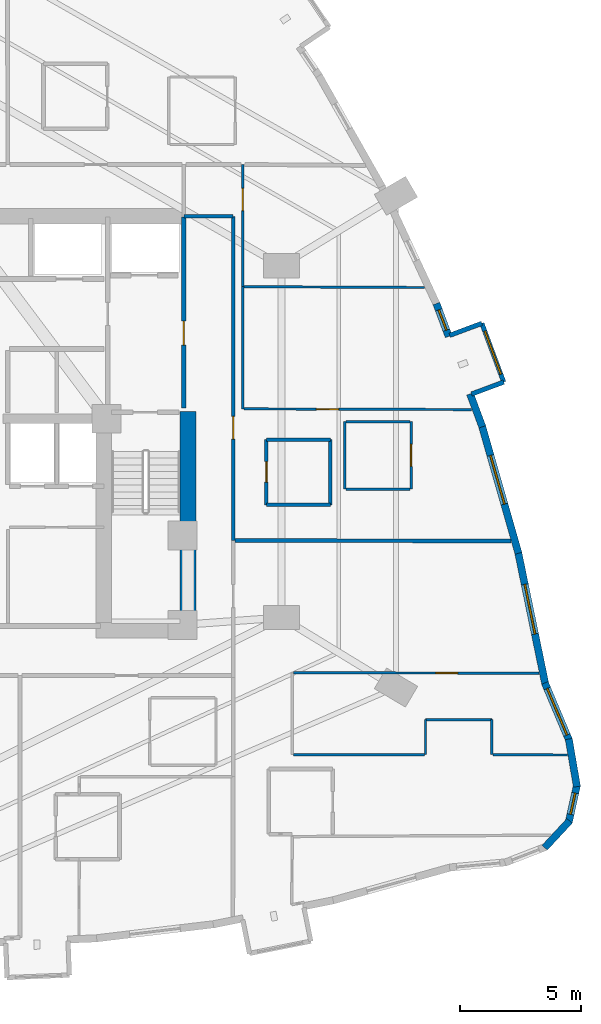
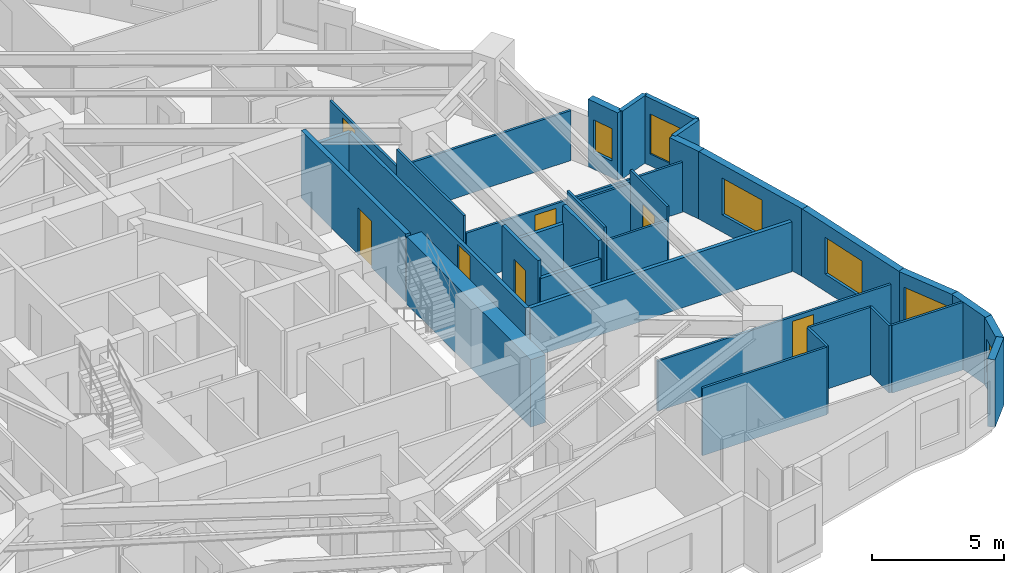
# One storey, part 11 of 15: 34 walls, 7 doors, 6 windows, 13 openings.
"""IFC4 building model written with IfcOpenShell, lengths in metres."""

import ifcopenshell
import ifcopenshell.guid

model = None  # the IFC model being written
_history = None  # IfcOwnerHistory: only IFC2X3 demands one
_inside = {}  # id of a spatial element -> (the spatial element, [elements in it])
_under = {}  # id of a project, library or spatial element -> (it, [spatial elements below it])
_declared = {}  # id of a project -> (the project, [libraries it declares])
_typed = {}  # id of a type object -> (the type object, [elements of that type])
_made_of = {}  # id of a material, layer set ... -> (it, [elements and type objects made of it])


def new_model(schema):
    """Start an empty IFC model of exactly this schema.

    Asked for "IFC4X3", IfcOpenShell would pick the latest addendum, in which some entities
    have other attributes; the version numbers below select the first issue.
    IFC2X3 requires an IfcOwnerHistory on every rooted entity: one is made here for all.
    """
    global model, _history
    if schema == "IFC4X3":
        model = ifcopenshell.file(schema_version=(4, 3, 0, 0))
    else:
        model = ifcopenshell.file(schema=schema)
    _inside.clear()
    _under.clear()
    _declared.clear()
    _typed.clear()
    _made_of.clear()
    _history = None
    if model.schema == "IFC2X3":
        org = make("IfcOrganization", Name="unknown")
        user = make(
            "IfcPersonAndOrganization",
            ThePerson=make("IfcPerson", FamilyName="unknown"),
            TheOrganization=org,
        )
        app = make(
            "IfcApplication",
            ApplicationDeveloper=org,
            Version="unknown",
            ApplicationFullName="unknown",
            ApplicationIdentifier="unknown",
        )
        _history = make(
            "IfcOwnerHistory",
            OwningUser=user,
            OwningApplication=app,
            ChangeAction="ADDED",
            CreationDate=0,
        )
    return model


def make(cls, **values):
    """One entity of the class cls with the attributes given. An attribute that is None is left unset."""
    return model.create_entity(
        cls, **{name: value for name, value in values.items() if value is not None}
    )


def rooted(cls, **values):
    """An entity with a GlobalId (a new one), such as an element, a storey or a relation."""
    return make(cls, GlobalId=ifcopenshell.guid.new(), OwnerHistory=_history, **values)


def si_unit(unit_type, name, prefix=None):
    """IfcSIUnit, for example si_unit("LENGTHUNIT", "METRE", prefix="MILLI")."""
    return make("IfcSIUnit", UnitType=unit_type, Prefix=prefix, Name=name)


def assignment(units):
    """IfcUnitAssignment: the units of a project."""
    return None if units is None else make("IfcUnitAssignment", Units=units)


def point(xyz):
    """IfcCartesianPoint."""
    return None if xyz is None else make("IfcCartesianPoint", Coordinates=xyz)


def direction(xyz):
    """IfcDirection."""
    return None if xyz is None else make("IfcDirection", DirectionRatios=xyz)


def frame(location, z_axis=None, x_axis=None):
    """IfcAxis2Placement3D, a coordinate frame: its origin and axes. An axis left out is left unset."""
    return make(
        "IfcAxis2Placement3D",
        Location=point(location),
        Axis=direction(z_axis),
        RefDirection=direction(x_axis),
    )


def frame_2d(location, x_axis=None):
    """IfcAxis2Placement2D, a coordinate frame in the plane: its origin and x axis."""
    return make(
        "IfcAxis2Placement2D", Location=point(location), RefDirection=direction(x_axis)
    )


def origin():
    """The frame at (0, 0, 0) with its axes left unset."""
    return frame((0.0, 0.0, 0.0))


def place(relative_to, where):
    """IfcLocalPlacement: puts the frame where relative to a parent placement (None: the world)."""
    return make(
        "IfcLocalPlacement", PlacementRelTo=relative_to, RelativePlacement=where
    )


def context(
    kind, dimensions, precision=None, world=None, true_north=None, identifier=None
):
    """IfcGeometricRepresentationContext, for example the 3D "Model" context."""
    return make(
        "IfcGeometricRepresentationContext",
        ContextIdentifier=identifier,
        ContextType=kind,
        CoordinateSpaceDimension=dimensions,
        Precision=precision,
        WorldCoordinateSystem=world,
        TrueNorth=true_north,
    )


def subcontext(parent, identifier, kind, view, scale=None):
    """IfcGeometricRepresentationSubContext, for example "Body" below "Model"."""
    return make(
        "IfcGeometricRepresentationSubContext",
        ContextIdentifier=identifier,
        ContextType=kind,
        ParentContext=parent,
        TargetScale=scale,
        TargetView=view,
    )


def project(units=None, contexts=None):
    """IfcProject with its units and contexts."""
    return rooted(
        "IfcProject",
        Name="project",
        RepresentationContexts=contexts,
        UnitsInContext=assignment(units),
    )


def spatial(cls, under=None, at=None, **own):
    """A site, building, storey or space (cls), placed at a placement, below another one or the project."""
    s = rooted(cls, ObjectPlacement=at, **own)
    if under is not None:
        _under.setdefault(under.id(), (under, []))[1].append(s)
    return s


def profile(cls, at=None, kind="AREA", **sizes):
    """A parametric profile (cls). Its sizes go by their IFC names, for example OverallWidth=200.0."""
    return make(cls, ProfileType=kind, Position=at, **sizes)


def rectangle(**sizes):
    """IfcRectangleProfileDef."""
    return profile("IfcRectangleProfileDef", **sizes)


def extrude(swept, where, along, depth):
    """IfcExtrudedAreaSolid: the profile swept, set in the frame where, extruded along a direction by depth."""
    return make(
        "IfcExtrudedAreaSolid",
        SweptArea=swept,
        Position=where,
        ExtrudedDirection=direction(along),
        Depth=depth,
    )


def shape(context_of_items, identifier, shape_type, items):
    """IfcShapeRepresentation: the items that make up one representation, for example the "Body"."""
    return make(
        "IfcShapeRepresentation",
        ContextOfItems=context_of_items,
        RepresentationIdentifier=identifier,
        RepresentationType=shape_type,
        Items=items,
    )


def material(Name=None, Category=None):
    """IfcMaterial."""
    return make("IfcMaterial", Name=Name, Category=Category)


def layer(
    of_material, thickness, ventilated=None, Name=None, Category=None, Priority=None
):
    """IfcMaterialLayer: one layer of a wall or slab, of a material (None: an air gap)."""
    return make(
        "IfcMaterialLayer",
        Material=of_material,
        LayerThickness=thickness,
        IsVentilated=ventilated,
        Name=Name,
        Category=Category,
        Priority=Priority,
    )


def layer_set(layers, Name=None):
    """IfcMaterialLayerSet."""
    return make("IfcMaterialLayerSet", MaterialLayers=layers, LayerSetName=Name)


def made_of(thing, what):
    """Note that an element or type object is made of a material, layer set ...; save() writes the relation."""
    if what is not None:
        _made_of.setdefault(what.id(), (what, []))[1].append(thing)
    return thing


def type_object(cls, material=None, **own):
    """A type object (cls), such as IfcWallType, which elements share."""
    return made_of(rooted(cls, **own), material)


def element(
    cls,
    number,
    at=None,
    inside=None,
    cuts=None,
    type_object=None,
    material=None,
    context=None,
    identifier="Body",
    shape_type=None,
    held_by="IfcProductDefinitionShape",
    body=None,
    shapes=None,
    **own,
):
    """One element of the class cls, such as IfcWall. Its Tag is "e" and its number.

    at: its placement. inside: the storey or other place that contains it. cuts: it is an
    opening in that element (IfcRelVoidsElement). A single representation is given by context,
    identifier, shape_type and body (its items); several are given by shapes. held_by: the class
    of the entity that holds the representations. save() writes the other relations.
    """
    e = rooted(cls, Tag="e%d" % number, ObjectPlacement=at, **own)
    if body is not None:
        shapes = [shape(context, identifier, shape_type, body)]
    if shapes is not None:
        e.Representation = make(held_by, Representations=shapes)
    if inside is not None:
        _inside.setdefault(inside.id(), (inside, []))[1].append(e)
    if cuts is not None:
        rooted(
            "IfcRelVoidsElement", RelatingBuildingElement=cuts, RelatedOpeningElement=e
        )
    if type_object is not None:
        _typed.setdefault(type_object.id(), (type_object, []))[1].append(e)
    return made_of(e, material)


def fill(opening, filler):
    """IfcRelFillsElement: the door or window that sits in an opening."""
    return rooted(
        "IfcRelFillsElement",
        RelatingOpeningElement=opening,
        RelatedBuildingElement=filler,
    )


def aggregate(whole, parts):
    """IfcRelAggregates: a whole, such as a stair, and the parts it consists of."""
    return rooted("IfcRelAggregates", RelatingObject=whole, RelatedObjects=parts)


def save(model, path):
    """Write the relations noted so far, then the file.

    IfcRelAggregates (storeys below a building ...), IfcRelContainedInSpatialStructure (elements
    in a storey), IfcRelDefinesByType, IfcRelAssociatesMaterial and IfcRelDeclares: one each for
    every whole, place, type object, material and project.
    """
    for whole, parts in _under.values():
        aggregate(whole, parts)
    for where, things in _inside.values():
        rooted(
            "IfcRelContainedInSpatialStructure",
            RelatedElements=things,
            RelatingStructure=where,
        )
    for kind, things in _typed.values():
        rooted("IfcRelDefinesByType", RelatedObjects=things, RelatingType=kind)
    for what, things in _made_of.values():
        rooted("IfcRelAssociatesMaterial", RelatedObjects=things, RelatingMaterial=what)
    for by, libraries in _declared.values():
        rooted("IfcRelDeclares", RelatingContext=by, RelatedDefinitions=libraries)
    model.write(path)


model = new_model("IFC4")

# Units and contexts
model_context = context("Model", 3, precision=1e-05, world=origin(), true_north=direction((0.0, 1.0)))
body_context = subcontext(model_context, "Body", "Model", "MODEL_VIEW")
ifc_project = project(units=[si_unit("LENGTHUNIT", "METRE"), si_unit("AREAUNIT", "SQUARE_METRE"), si_unit("VOLUMEUNIT", "CUBIC_METRE"), si_unit("PLANEANGLEUNIT", "RADIAN"), si_unit("MASSUNIT", "GRAM", prefix="KILO")], contexts=[model_context])

# Site, building, storey
site_placement = place(None, origin())
site = spatial("IfcSite", under=ifc_project, at=site_placement, CompositionType="ELEMENT")
building_placement = place(site_placement, origin())
building = spatial("IfcBuilding", under=site, at=building_placement, Name="Miruveldt Soraemaru", CompositionType="ELEMENT")
storey_placement = place(building_placement, frame((0.0, 0.0, 39.39990234375)))
storey = spatial("IfcBuildingStorey", under=building, at=storey_placement, Name="L10", CompositionType="ELEMENT", Elevation=39.39990234375)

# Walls
ifc_material_1 = material(Name="White powder-coated aluminium EN AW-6060 T6", Category="aluminium")
ifc_layer_1 = layer(ifc_material_1, 0.18994140625, Name="White powder-coated aluminium EN AW-6060 T6", Category="aluminium")
ifc_layer_set_1 = layer_set([ifc_layer_1], Name="White powder-coated aluminium EN AW-6060 T6")
wall_type_1 = type_object("IfcWallType", Name="WALL-BAY-ALU190", PredefinedType="SOLIDWALL", material=ifc_layer_set_1)
wall_1_placement = place(storey_placement, frame((64.49072265625, 45.074951171875, 0.0), z_axis=(0.0, 0.0, 1.0), x_axis=(0.937129361406, 0.348982177182, 0.0)))
element("IfcWall", 1, at=wall_1_placement, inside=storey, type_object=wall_type_1, Name="L10 Bay Window Side Cheek 4L", PredefinedType="SOLIDWALL", context=body_context, shape_type="SweptSolid", body=[
    extrude(rectangle(XDim=1.425048828125, YDim=0.18994140625, at=frame_2d((0.71240234375, 0.0))), origin(), (0.0, 0.0, 1.0), 3.125),
])
wall_2_placement = place(storey_placement, frame((64.918701171875, 48.0087890625, 0.0), z_axis=(0.0, 0.0, 1.0), x_axis=(-0.937108491365, -0.349038214831, 0.0)))
element("IfcWall", 2, at=wall_2_placement, inside=storey, type_object=wall_type_1, Name="L10 Bay Window Side Cheek 4R", PredefinedType="SOLIDWALL", context=body_context, shape_type="SweptSolid", body=[
    extrude(rectangle(XDim=1.4248046875, YDim=0.18994140625, at=frame_2d((0.71240234375, 0.0))), origin(), (0.0, 0.0, 1.0), 3.125),
])

# Wall, opening, window
wall_3_placement = place(storey_placement, frame((65.826171875, 45.572265625, 0.0), z_axis=(0.0, 0.0, 1.0), x_axis=(-0.349023333144, 0.937114034107, 0.0)))
wall_3 = element("IfcWall", 3, at=wall_3_placement, inside=storey, type_object=wall_type_1, Name="L10 Bay Window Front Frame 4", PredefinedType="SOLIDWALL", context=body_context, shape_type="SweptSolid", body=[
    extrude(rectangle(XDim=2.60009765625, YDim=0.18994140625, at=frame_2d((1.300048828125, 0.0))), origin(), (0.0, 0.0, 1.0), 3.125),
])
opening_1_placement = place(wall_3_placement, frame((0.35009765625, 0.0, 0.550048828125)))
opening_1 = element("IfcOpeningElement", 4, at=opening_1_placement, cuts=wall_3, Name="Opening WN-6", PredefinedType="OPENING", context=body_context, shape_type="SweptSolid", body=[
    extrude(rectangle(XDim=1.89990234375, YDim=1.85009765625, at=frame_2d((0.949951171875, 0.925048828125))), frame((0.0, 0.10498046875, 0.0), z_axis=(0.0, -1.0, 0.0), x_axis=(1.0, 0.0, 0.0)), (0.0, 0.0, 1.0), 0.2099609375),
])
ifc_material_2 = material(Name="Triple low-e insulated glazing", Category="glass")
window_type_1 = type_object("IfcWindowType", Name="WIN-BAYW-1900x1850", PartitioningType="SINGLE_PANEL", PredefinedType="WINDOW", material=ifc_material_2)
window_1_placement = place(opening_1_placement, origin())
window_1 = element("IfcWindow", 5, at=window_1_placement, inside=storey, type_object=window_type_1, Name="L10 Projecting Bay Window 4", OverallHeight=1.85009765625, OverallWidth=1.89990234375, PartitioningType="SINGLE_PANEL", PredefinedType="WINDOW", context=body_context, shape_type="SweptSolid", body=[
    extrude(rectangle(XDim=1.89990234375, YDim=1.85009765625, at=frame_2d((0.949951171875, 0.925048828125))), frame((0.0, 0.030029296875, 0.0), z_axis=(0.0, -1.0, 0.0), x_axis=(1.0, 0.0, 0.0)), (0.0, 0.0, 1.0), 0.06005859375),
])
fill(opening_1, window_1)

# Walls
ifc_material_3 = material(Name="Concrete C80/95 (80 MPa)", Category="concrete")
ifc_layer_2 = layer(ifc_material_3, 0.64990234375, Name="Concrete C80/95 (80 MPa)", Category="concrete")
ifc_layer_set_2 = layer_set([ifc_layer_2], Name="Concrete C80/95 (80 MPa)")
wall_type_2 = type_object("IfcWallType", Name="WALL-CW-650", PredefinedType="SHEAR", material=ifc_layer_set_2)
wall_4_placement = place(storey_placement, frame((52.72509765625, 34.949951171875, 0.0), z_axis=(0.0, 0.0, 1.0), x_axis=(0.0, 1.0, 0.0)))
element("IfcWall", 6, at=wall_4_placement, inside=storey, type_object=wall_type_2, Name="L10 Central Core Shear Wall E1", PredefinedType="SHEAR", context=body_context, shape_type="SweptSolid", body=[
    extrude(rectangle(XDim=9.400146484375, YDim=0.64990234375, at=frame_2d((4.7001953125, 0.0))), origin(), (0.0, 0.0, 1.0), 3.125),
])
ifc_material_4 = material(Name="Precast concrete C45/55 (45 MPa)", Category="concrete")
ifc_layer_3 = layer(ifc_material_4, 0.300048828125, Name="Precast concrete C45/55 (45 MPa)", Category="concrete")
ifc_layer_set_3 = layer_set([ifc_layer_3], Name="Precast concrete C45/55 (45 MPa)")
wall_type_3 = type_object("IfcWallType", Name="WALL-EXT-PC300", PredefinedType="SOLIDWALL", material=ifc_layer_set_3)
wall_5_placement = place(storey_placement, frame((67.52294921875, 26.253173828125, 0.0), z_axis=(0.0, 0.0, 1.0), x_axis=(0.680191520786, 0.733034443291, 0.0)))
element("IfcWall", 7, at=wall_5_placement, inside=storey, type_object=wall_type_3, Name="L10 Precast Concrete Facade Wall 31", PredefinedType="SOLIDWALL", context=body_context, shape_type="SweptSolid", body=[
    extrude(rectangle(XDim=1.515380859375, YDim=0.300048828125, at=frame_2d((0.7578125, 0.0))), origin(), (0.0, 0.0, 1.0), 3.125),
])

# Wall, opening, window
wall_6_placement = place(storey_placement, frame((68.522216796875, 27.303955078125, 0.0), z_axis=(0.0, 0.0, 1.0), x_axis=(0.215694028495, 0.976461000794, 0.0)))
wall_6 = element("IfcWall", 8, at=wall_6_placement, inside=storey, type_object=wall_type_3, Name="L10 Precast Concrete Facade Wall 32", PredefinedType="SOLIDWALL", context=body_context, shape_type="SweptSolid", body=[
    extrude(rectangle(XDim=1.589111328125, YDim=0.300048828125, at=frame_2d((0.79443359375, 0.0))), origin(), (0.0, 0.0, 1.0), 3.125),
])
opening_2_placement = place(wall_6_placement, frame((0.343994140625, 0.0, 0.780029296875)))
opening_2 = element("IfcOpeningElement", 9, at=opening_2_placement, cuts=wall_6, Name="Opening WN-7", PredefinedType="OPENING", context=body_context, shape_type="SweptSolid", body=[
    extrude(rectangle(XDim=0.89990234375, YDim=1.5, at=frame_2d((0.449951171875, 0.75))), frame((0.0, 0.16015625, 0.0), z_axis=(0.0, -1.0, 0.0), x_axis=(1.0, 0.0, 0.0)), (0.0, 0.0, 1.0), 0.320068359375),
])
window_type_2 = type_object("IfcWindowType", Name="WIN-PUNCH-900x1500", PartitioningType="SINGLE_PANEL", PredefinedType="WINDOW", material=ifc_material_2)
window_2_placement = place(opening_2_placement, origin())
window_2 = element("IfcWindow", 10, at=window_2_placement, inside=storey, type_object=window_type_2, Name="L10 Punched Triple-Glazed Window 32.1", OverallHeight=1.5, OverallWidth=0.89990234375, PartitioningType="SINGLE_PANEL", PredefinedType="WINDOW", context=body_context, shape_type="SweptSolid", body=[
    extrude(rectangle(XDim=0.89990234375, YDim=1.5, at=frame_2d((0.449951171875, 0.75))), frame((0.0, 0.030029296875, 0.0), z_axis=(0.0, -1.0, 0.0), x_axis=(1.0, 0.0, 0.0)), (0.0, 0.0, 1.0), 0.06005859375),
])
fill(opening_2, window_2)

# Wall
wall_7_placement = place(storey_placement, frame((68.86328125, 28.787109375, 0.0), z_axis=(0.0, 0.0, 1.0), x_axis=(-0.169274776515, 0.985568896646, 0.0)))
element("IfcWall", 11, at=wall_7_placement, inside=storey, type_object=wall_type_3, Name="L10 Precast Concrete Facade Wall 33", PredefinedType="SOLIDWALL", context=body_context, shape_type="SweptSolid", body=[
    extrude(rectangle(XDim=2.0048828125, YDim=0.300048828125, at=frame_2d((1.00244140625, 0.0))), origin(), (0.0, 0.0, 1.0), 3.125),
])

# Wall, opening, window
wall_8_placement = place(storey_placement, frame((68.54345703125, 30.6962890625, 0.0), z_axis=(0.0, 0.0, 1.0), x_axis=(-0.388619532782, 0.921398317092, 0.0)))
wall_8 = element("IfcWall", 12, at=wall_8_placement, inside=storey, type_object=wall_type_3, Name="L10 Precast Concrete Facade Wall 34", PredefinedType="SOLIDWALL", context=body_context, shape_type="SweptSolid", body=[
    extrude(rectangle(XDim=2.599609375, YDim=0.300048828125, at=frame_2d((1.2998046875, 0.0))), origin(), (0.0, 0.0, 1.0), 3.125),
])
opening_3_placement = place(wall_8_placement, frame((0.25, 0.0, 0.800048828125)))
opening_3 = element("IfcOpeningElement", 13, at=opening_3_placement, cuts=wall_8, Name="Opening WN-1", PredefinedType="OPENING", context=body_context, shape_type="SweptSolid", body=[
    extrude(rectangle(XDim=2.10009765625, YDim=1.699951171875, at=frame_2d((1.050048828125, 0.85009765625))), frame((0.0, 0.16015625, 0.0), z_axis=(0.0, -1.0, 0.0), x_axis=(1.0, 0.0, 0.0)), (0.0, 0.0, 1.0), 0.320068359375),
])
window_type_3 = type_object("IfcWindowType", Name="WIN-PUNCH-2100x1700", PartitioningType="SINGLE_PANEL", PredefinedType="WINDOW", material=ifc_material_2)
window_3_placement = place(opening_3_placement, origin())
window_3 = element("IfcWindow", 14, at=window_3_placement, inside=storey, type_object=window_type_3, Name="L10 Punched Triple-Glazed Window 34.1", OverallHeight=1.699951171875, OverallWidth=2.10009765625, PartitioningType="SINGLE_PANEL", PredefinedType="WINDOW", context=body_context, shape_type="SweptSolid", body=[
    extrude(rectangle(XDim=2.10009765625, YDim=1.699951171875, at=frame_2d((1.050048828125, 0.85009765625))), frame((0.0, 0.030029296875, 0.0), z_axis=(0.0, -1.0, 0.0), x_axis=(1.0, 0.0, 0.0)), (0.0, 0.0, 1.0), 0.06005859375),
])
fill(opening_3, window_3)

wall_9_placement = place(storey_placement, frame((67.5537109375, 33.02490234375, 0.0), z_axis=(0.0, 0.0, 1.0), x_axis=(-0.201536618175, 0.979480980691, 0.0)))
wall_9 = element("IfcWall", 15, at=wall_9_placement, inside=storey, type_object=wall_type_3, Name="L10 Precast Concrete Facade Wall 35", PredefinedType="SOLIDWALL", context=body_context, shape_type="SweptSolid", body=[
    extrude(rectangle(XDim=5.626953125, YDim=0.300048828125, at=frame_2d((2.8134765625, 0.0))), origin(), (0.0, 0.0, 1.0), 3.125),
])
opening_4_placement = place(wall_9_placement, frame((2.139892578125, 0.0, 0.800048828125)))
opening_4 = element("IfcOpeningElement", 16, at=opening_4_placement, cuts=wall_9, Name="Opening WN-1", PredefinedType="OPENING", context=body_context, shape_type="SweptSolid", body=[
    extrude(rectangle(XDim=2.10009765625, YDim=1.699951171875, at=frame_2d((1.050048828125, 0.85009765625))), frame((0.0, 0.16015625, 0.0), z_axis=(0.0, -1.0, 0.0), x_axis=(1.0, 0.0, 0.0)), (0.0, 0.0, 1.0), 0.320068359375),
])
window_4_placement = place(opening_4_placement, origin())
window_4 = element("IfcWindow", 17, at=window_4_placement, inside=storey, type_object=window_type_3, Name="L10 Punched Triple-Glazed Window 35.1", OverallHeight=1.699951171875, OverallWidth=2.10009765625, PartitioningType="SINGLE_PANEL", PredefinedType="WINDOW", context=body_context, shape_type="SweptSolid", body=[
    extrude(rectangle(XDim=2.10009765625, YDim=1.699951171875, at=frame_2d((1.050048828125, 0.85009765625))), frame((0.0, 0.030029296875, 0.0), z_axis=(0.0, -1.0, 0.0), x_axis=(1.0, 0.0, 0.0)), (0.0, 0.0, 1.0), 0.06005859375),
])
fill(opening_4, window_4)

wall_10_placement = place(storey_placement, frame((66.436279296875, 38.468505859375, 0.0), z_axis=(0.0, 0.0, 1.0), x_axis=(-0.274971983341, 0.96145223926, 0.0)))
wall_10 = element("IfcWall", 18, at=wall_10_placement, inside=storey, type_object=wall_type_3, Name="L10 Precast Concrete Facade Wall 36", PredefinedType="SOLIDWALL", context=body_context, shape_type="SweptSolid", body=[
    extrude(rectangle(XDim=5.527099609375, YDim=0.300048828125, at=frame_2d((2.763671875, 0.0))), origin(), (0.0, 0.0, 1.0), 3.125),
])
opening_5_placement = place(wall_10_placement, frame((2.1220703125, 0.0, 0.800048828125)))
opening_5 = element("IfcOpeningElement", 19, at=opening_5_placement, cuts=wall_10, Name="Opening WN-1", PredefinedType="OPENING", context=body_context, shape_type="SweptSolid", body=[
    extrude(rectangle(XDim=2.10009765625, YDim=1.699951171875, at=frame_2d((1.050048828125, 0.85009765625))), frame((0.0, 0.16015625, 0.0), z_axis=(0.0, -1.0, 0.0), x_axis=(1.0, 0.0, 0.0)), (0.0, 0.0, 1.0), 0.320068359375),
])
window_5_placement = place(opening_5_placement, origin())
window_5 = element("IfcWindow", 20, at=window_5_placement, inside=storey, type_object=window_type_3, Name="L10 Punched Triple-Glazed Window 36.1", OverallHeight=1.699951171875, OverallWidth=2.10009765625, PartitioningType="SINGLE_PANEL", PredefinedType="WINDOW", context=body_context, shape_type="SweptSolid", body=[
    extrude(rectangle(XDim=2.10009765625, YDim=1.699951171875, at=frame_2d((1.050048828125, 0.85009765625))), frame((0.0, 0.030029296875, 0.0), z_axis=(0.0, -1.0, 0.0), x_axis=(1.0, 0.0, 0.0)), (0.0, 0.0, 1.0), 0.06005859375),
])
fill(opening_5, window_5)

# Wall
wall_11_placement = place(storey_placement, frame((64.938232421875, 43.7158203125, 0.0), z_axis=(0.0, 0.0, 1.0), x_axis=(-0.349051427871, 0.93710356989, 0.0)))
element("IfcWall", 21, at=wall_11_placement, inside=storey, type_object=wall_type_3, Name="L10 Precast Pier Wall 37A", PredefinedType="SOLIDWALL", context=body_context, shape_type="SweptSolid", body=[
    extrude(rectangle(XDim=1.459716796875, YDim=0.300048828125, at=frame_2d((0.72998046875, 0.0))), origin(), (0.0, 0.0, 1.0), 3.125),
])

# Wall, opening, window
wall_12_placement = place(storey_placement, frame((63.54248046875, 47.464111328125, 0.0), z_axis=(0.0, 0.0, 1.0), x_axis=(-0.349051427871, 0.93710356989, 0.0)))
wall_12 = element("IfcWall", 22, at=wall_12_placement, inside=storey, type_object=wall_type_3, Name="L10 Precast Pier Wall 37B", PredefinedType="SOLIDWALL", context=body_context, shape_type="SweptSolid", body=[
    extrude(rectangle(XDim=1.459716796875, YDim=0.300048828125, at=frame_2d((0.72998046875, 0.0))), origin(), (0.0, 0.0, 1.0), 3.125),
])
opening_6_placement = place(wall_12_placement, frame((0.280029296875, 0.0, 0.780029296875)))
opening_6 = element("IfcOpeningElement", 23, at=opening_6_placement, cuts=wall_12, Name="Opening WN-7", PredefinedType="OPENING", context=body_context, shape_type="SweptSolid", body=[
    extrude(rectangle(XDim=0.89990234375, YDim=1.5, at=frame_2d((0.449951171875, 0.75))), frame((0.0, 0.16015625, 0.0), z_axis=(0.0, -1.0, 0.0), x_axis=(1.0, 0.0, 0.0)), (0.0, 0.0, 1.0), 0.320068359375),
])
window_6_placement = place(opening_6_placement, origin())
window_6 = element("IfcWindow", 24, at=window_6_placement, inside=storey, type_object=window_type_2, Name="L10 Punched Triple-Glazed Window 37B.1", OverallHeight=1.5, OverallWidth=0.89990234375, PartitioningType="SINGLE_PANEL", PredefinedType="WINDOW", context=body_context, shape_type="SweptSolid", body=[
    extrude(rectangle(XDim=0.89990234375, YDim=1.5, at=frame_2d((0.449951171875, 0.75))), frame((0.0, 0.030029296875, 0.0), z_axis=(0.0, -1.0, 0.0), x_axis=(1.0, 0.0, 0.0)), (0.0, 0.0, 1.0), 0.06005859375),
])
fill(opening_6, window_6)

# Wall, opening, door
ifc_material_5 = material(Name="Gypsum plasterboard lining", Category="gypsum")
ifc_layer_4 = layer(ifc_material_5, 0.10009765625, Name="Gypsum plasterboard lining", Category="gypsum")
ifc_layer_set_4 = layer_set([ifc_layer_4], Name="Gypsum plasterboard lining")
wall_type_4 = type_object("IfcWallType", Name="WALL-INT-P100", PredefinedType="PARTITIONING", material=ifc_layer_set_4)
wall_13_placement = place(storey_placement, frame((57.10009765625, 33.510986328125, 0.0), z_axis=(0.0, 0.0, 1.0), x_axis=(0.999998593353, -0.001677287141, 0.0)))
wall_13 = element("IfcWall", 25, at=wall_13_placement, inside=storey, type_object=wall_type_4, Name="L10 Partition Wall 87", PredefinedType="PARTITIONING", context=body_context, shape_type="SweptSolid", body=[
    extrude(rectangle(XDim=10.18896484375, YDim=0.10009765625, at=frame_2d((5.094482421875, 0.0))), origin(), (0.0, 0.0, 1.0), 2.31298828125),
])
opening_7_placement = place(wall_13_placement, frame((5.89501953125, 0.0, 0.0)))
opening_7 = element("IfcOpeningElement", 26, at=opening_7_placement, cuts=wall_13, Name="Opening D3A", PredefinedType="OPENING", context=body_context, shape_type="SweptSolid", body=[
    extrude(rectangle(XDim=0.919921875, YDim=2.10009765625, at=frame_2d((0.4599609375, 1.050048828125))), frame((0.0, 0.06005859375, 0.0), z_axis=(0.0, -1.0, 0.0), x_axis=(1.0, 0.0, 0.0)), (0.0, 0.0, 1.0), 0.1201171875),
])
ifc_material_6 = material(Name="Anodised aluminium EN AW-6063 T6", Category="aluminium")
door_type_1 = type_object("IfcDoorType", Name="DOOR-INT-920", OperationType="NOTDEFINED", PredefinedType="DOOR", material=ifc_material_6)
door_1_placement = place(opening_7_placement, origin())
door_1 = element("IfcDoor", 27, at=door_1_placement, inside=storey, type_object=door_type_1, Name="L10 Unit 1007 BD3 Door", OperationType="SINGLE_SWING_RIGHT", OverallHeight=2.10009765625, OverallWidth=0.919921875, PredefinedType="DOOR", context=body_context, shape_type="SweptSolid", body=[
    extrude(rectangle(XDim=0.919921875, YDim=2.10009765625, at=frame_2d((0.4599609375, 1.050048828125))), frame((0.0, 0.02490234375, 0.0), z_axis=(0.0, -1.0, 0.0), x_axis=(1.0, 0.0, 0.0)), (0.0, 0.0, 1.0), 0.050048828125),
])
fill(opening_7, door_1)

wall_14_placement = place(storey_placement, frame((64.49609375, 44.429931640625, 0.0), z_axis=(0.0, 0.0, 1.0), x_axis=(-0.99999494691, 0.00317901782, 0.0)))
wall_14 = element("IfcWall", 28, at=wall_14_placement, inside=storey, type_object=wall_type_4, Name="L10 Partition Wall 74", PredefinedType="PARTITIONING", context=body_context, shape_type="SweptSolid", body=[
    extrude(rectangle(XDim=9.446044921875, YDim=0.10009765625, at=frame_2d((4.72314453125, 0.0))), origin(), (0.0, 0.0, 1.0), 2.31298828125),
])
opening_8_placement = place(wall_14_placement, frame((5.52294921875, 0.0, 0.0)))
opening_8 = element("IfcOpeningElement", 29, at=opening_8_placement, cuts=wall_14, Name="Opening D3A", PredefinedType="OPENING", context=body_context, shape_type="SweptSolid", body=[
    extrude(rectangle(XDim=0.919921875, YDim=2.10009765625, at=frame_2d((0.4599609375, 1.050048828125))), frame((0.0, 0.06005859375, 0.0), z_axis=(0.0, -1.0, 0.0), x_axis=(1.0, 0.0, 0.0)), (0.0, 0.0, 1.0), 0.1201171875),
])
door_2_placement = place(opening_8_placement, origin())
door_2 = element("IfcDoor", 30, at=door_2_placement, inside=storey, type_object=door_type_1, Name="L10 Unit 1006 BD1 Door", OperationType="SINGLE_SWING_LEFT", OverallHeight=2.10009765625, OverallWidth=0.919921875, PredefinedType="DOOR", context=body_context, shape_type="SweptSolid", body=[
    extrude(rectangle(XDim=0.919921875, YDim=2.10009765625, at=frame_2d((0.4599609375, 1.050048828125))), frame((0.0, 0.02490234375, 0.0), z_axis=(0.0, -1.0, 0.0), x_axis=(1.0, 0.0, 0.0)), (0.0, 0.0, 1.0), 0.050048828125),
])
fill(opening_8, door_2)

wall_15_placement = place(storey_placement, frame((55.0, 49.530029296875, 0.0), z_axis=(0.0, 0.0, 1.0), x_axis=(0.0, 1.0, 0.0)))
wall_15 = element("IfcWall", 31, at=wall_15_placement, inside=storey, type_object=wall_type_4, Name="L10 Partition Wall 76", PredefinedType="PARTITIONING", context=body_context, shape_type="SweptSolid", body=[
    extrude(rectangle(XDim=5.070068359375, YDim=0.10009765625, at=frame_2d((2.53515625, 0.0))), origin(), (0.0, 0.0, 1.0), 2.31298828125),
])
opening_9_placement = place(wall_15_placement, frame((3.155029296875, 0.0, 0.0)))
opening_9 = element("IfcOpeningElement", 32, at=opening_9_placement, cuts=wall_15, Name="Opening D3A", PredefinedType="OPENING", context=body_context, shape_type="SweptSolid", body=[
    extrude(rectangle(XDim=0.919921875, YDim=2.10009765625, at=frame_2d((0.4599609375, 1.050048828125))), frame((0.0, 0.06005859375, 0.0), z_axis=(0.0, -1.0, 0.0), x_axis=(1.0, 0.0, 0.0)), (0.0, 0.0, 1.0), 0.1201171875),
])
door_3_placement = place(opening_9_placement, origin())
door_3 = element("IfcDoor", 33, at=door_3_placement, inside=storey, type_object=door_type_1, Name="L10 Unit 1006 BD2 Door", OperationType="SINGLE_SWING_RIGHT", OverallHeight=2.10009765625, OverallWidth=0.919921875, PredefinedType="DOOR", context=body_context, shape_type="SweptSolid", body=[
    extrude(rectangle(XDim=0.919921875, YDim=2.10009765625, at=frame_2d((0.4599609375, 1.050048828125))), frame((0.0, 0.02490234375, 0.0), z_axis=(0.0, -1.0, 0.0), x_axis=(1.0, 0.0, 0.0)), (0.0, 0.0, 1.0), 0.050048828125),
])
fill(opening_9, door_3)

wall_16_placement = place(storey_placement, frame((61.97998046875, 41.1298828125, 0.0), z_axis=(0.0, 0.0, 1.0), x_axis=(0.0, 1.0, 0.0)))
wall_16 = element("IfcWall", 34, at=wall_16_placement, inside=storey, type_object=wall_type_4, Name="L10 Partition Wall 70", PredefinedType="PARTITIONING", context=body_context, shape_type="SweptSolid", body=[
    extrude(rectangle(XDim=2.800048828125, YDim=0.10009765625, at=frame_2d((1.39990234375, 0.0))), origin(), (0.0, 0.0, 1.0), 3.125),
])
opening_10_placement = place(wall_16_placement, frame((0.93994140625, 0.0, 0.0)))
opening_10 = element("IfcOpeningElement", 35, at=opening_10_placement, cuts=wall_16, Name="Opening D3A", PredefinedType="OPENING", context=body_context, shape_type="SweptSolid", body=[
    extrude(rectangle(XDim=0.919921875, YDim=2.10009765625, at=frame_2d((0.4599609375, 1.050048828125))), frame((0.0, 0.06005859375, 0.0), z_axis=(0.0, -1.0, 0.0), x_axis=(1.0, 0.0, 0.0)), (0.0, 0.0, 1.0), 0.1201171875),
])
door_4_placement = place(opening_10_placement, origin())
door_4 = element("IfcDoor", 36, at=door_4_placement, inside=storey, type_object=door_type_1, Name="L10 Unit 1006 KIT Door", OperationType="SINGLE_SWING_RIGHT", OverallHeight=2.10009765625, OverallWidth=0.919921875, PredefinedType="DOOR", context=body_context, shape_type="SweptSolid", body=[
    extrude(rectangle(XDim=0.919921875, YDim=2.10009765625, at=frame_2d((0.4599609375, 1.050048828125))), frame((0.0, 0.02490234375, 0.0), z_axis=(0.0, -1.0, 0.0), x_axis=(1.0, 0.0, 0.0)), (0.0, 0.0, 1.0), 0.050048828125),
])
fill(opening_10, door_4)

# Walls
wall_17_placement = place(storey_placement, frame((62.5390625, 49.493896484375, 0.0), z_axis=(0.0, 0.0, 1.0), x_axis=(-0.999988360972, 0.00482471972, 0.0)))
element("IfcWall", 37, at=wall_17_placement, inside=storey, type_object=wall_type_4, Name="L10 Partition Wall 78", PredefinedType="PARTITIONING", context=body_context, shape_type="SweptSolid", body=[
    extrude(rectangle(XDim=7.489013671875, YDim=0.10009765625, at=frame_2d((3.74462890625, 0.0))), origin(), (0.0, 0.0, 1.0), 2.31298828125),
])
wall_18_placement = place(storey_placement, frame((62.530029296875, 30.113037109375, 0.0), z_axis=(0.0, 0.0, 1.0), x_axis=(-1.0, 0.0, 0.0)))
element("IfcWall", 38, at=wall_18_placement, inside=storey, type_object=wall_type_4, Name="L10 Partition Wall 85", PredefinedType="PARTITIONING", context=body_context, shape_type="SweptSolid", body=[
    extrude(rectangle(XDim=5.429931640625, YDim=0.10009765625, at=frame_2d((2.71484375, 0.0))), origin(), (0.0, 0.0, 1.0), 3.125),
])
wall_19_placement = place(storey_placement, frame((55.0, 44.4599609375, 0.0), z_axis=(0.0, 0.0, 1.0), x_axis=(0.0, 1.0, 0.0)))
element("IfcWall", 39, at=wall_19_placement, inside=storey, type_object=wall_type_4, Name="L10 Partition Wall 75", PredefinedType="PARTITIONING", context=body_context, shape_type="SweptSolid", body=[
    extrude(rectangle(XDim=5.070068359375, YDim=0.10009765625, at=frame_2d((2.53515625, 0.0))), origin(), (0.0, 0.0, 1.0), 3.125),
])
wall_20_placement = place(storey_placement, frame((68.470947265625, 30.09912109375, 0.0), z_axis=(0.0, 0.0, 1.0), x_axis=(-0.999989866089, 0.004501968436, 0.0)))
element("IfcWall", 40, at=wall_20_placement, inside=storey, type_object=wall_type_4, Name="L10 Partition Wall 84", PredefinedType="PARTITIONING", context=body_context, shape_type="SweptSolid", body=[
    extrude(rectangle(XDim=3.091064453125, YDim=0.10009765625, at=frame_2d((1.54541015625, 0.0))), origin(), (0.0, 0.0, 1.0), 3.125),
])
wall_21_placement = place(storey_placement, frame((59.22998046875, 43.929931640625, 0.0), z_axis=(0.0, 0.0, 1.0), x_axis=(0.0, -1.0, 0.0)))
element("IfcWall", 41, at=wall_21_placement, inside=storey, type_object=wall_type_4, Name="L10 Partition Wall 72", PredefinedType="PARTITIONING", context=body_context, shape_type="SweptSolid", body=[
    extrude(rectangle(XDim=2.800048828125, YDim=0.10009765625, at=frame_2d((1.39990234375, 0.0))), origin(), (0.0, 0.0, 1.0), 3.125),
])
wall_22_placement = place(storey_placement, frame((65.330078125, 31.569091796875, 0.0), z_axis=(0.0, 0.0, 1.0), x_axis=(-1.0, 0.0, 0.0)))
element("IfcWall", 42, at=wall_22_placement, inside=storey, type_object=wall_type_4, Name="L10 Partition Wall 127", PredefinedType="PARTITIONING", context=body_context, shape_type="SweptSolid", body=[
    extrude(rectangle(XDim=2.75, YDim=0.10009765625, at=frame_2d((1.375, 0.0))), origin(), (0.0, 0.0, 1.0), 3.125),
])
for number, where, z_axis, x_axis, name in (
    (43, (61.929931640625, 43.929931640625, 0.0), (0.0, 0.0, 1.0), (-1.0, 0.0, 0.0), "L10 Partition Wall 71"),
    (44, (59.280029296875, 41.1298828125, 0.0), (0.0, 0.0, 1.0), (1.0, 0.0, 0.0), "L10 Partition Wall 73"),
):
    element("IfcWall", number, at=place(storey_placement, frame(where, z_axis=z_axis, x_axis=x_axis)), inside=storey, type_object=wall_type_4, Name=name, PredefinedType="PARTITIONING", context=body_context, shape_type="SweptSolid", body=[
        extrude(rectangle(XDim=2.64990234375, YDim=0.10009765625, at=frame_2d((1.324951171875, 0.0))), origin(), (0.0, 0.0, 1.0), 2.51318359375),
    ])
for number, where, z_axis, x_axis, name in (
    (45, (65.330078125, 30.113037109375, 0.0), (0.0, 0.0, 1.0), (0.0, 1.0, 0.0), "L10 Partition Wall 126"),
    (46, (62.580078125, 31.569091796875, 0.0), (0.0, 0.0, 1.0), (0.0, -1.0, 0.0), "L10 Partition Wall 128"),
):
    element("IfcWall", number, at=place(storey_placement, frame(where, z_axis=z_axis, x_axis=x_axis)), inside=storey, type_object=wall_type_4, Name=name, PredefinedType="PARTITIONING", context=body_context, shape_type="SweptSolid", body=[
        extrude(rectangle(XDim=1.4560546875, YDim=0.10009765625, at=frame_2d((0.72802734375, 0.0))), origin(), (0.0, 0.0, 1.0), 3.125),
    ])

# Wall, opening, door
ifc_layer_5 = layer(ifc_material_5, 0.14990234375, Name="Gypsum plasterboard lining", Category="gypsum")
ifc_layer_set_5 = layer_set([ifc_layer_5], Name="Gypsum plasterboard lining")
wall_type_5 = type_object("IfcWallType", Name="WALL-INT-PLUMB", PredefinedType="PLUMBINGWALL", material=ifc_layer_set_5)
wall_23_placement = place(storey_placement, frame((55.97998046875, 43.179931640625, 0.0), z_axis=(0.0, 0.0, 1.0), x_axis=(0.0, -1.0, 0.0)))
wall_23 = element("IfcWall", 47, at=wall_23_placement, inside=storey, type_object=wall_type_5, Name="L10 Partition Wall 68", PredefinedType="PLUMBINGWALL", context=body_context, shape_type="SweptSolid", body=[
    extrude(rectangle(XDim=2.699951171875, YDim=0.14990234375, at=frame_2d((1.35009765625, 0.0))), origin(), (0.0, 0.0, 1.0), 3.125),
])
opening_11_placement = place(wall_23_placement, frame((0.909912109375, 0.0, 0.0)))
opening_11 = element("IfcOpeningElement", 48, at=opening_11_placement, cuts=wall_23, Name="Opening FD3", PredefinedType="OPENING", context=body_context, shape_type="SweptSolid", body=[
    extrude(rectangle(XDim=0.85009765625, YDim=2.10009765625, at=frame_2d((0.425048828125, 1.050048828125))), frame((0.0, 0.0849609375, 0.0), z_axis=(0.0, -1.0, 0.0), x_axis=(1.0, 0.0, 0.0)), (0.0, 0.0, 1.0), 0.169921875),
])
door_type_2 = type_object("IfcDoorType", Name="DOOR-FD3-850", OperationType="NOTDEFINED", PredefinedType="DOOR", material=ifc_material_6)
door_5_placement = place(opening_11_placement, origin())
door_5 = element("IfcDoor", 49, at=door_5_placement, inside=storey, type_object=door_type_2, Name="L10 Unit 1006 BTH Door", OperationType="SINGLE_SWING_LEFT", OverallHeight=2.10009765625, OverallWidth=0.85009765625, PredefinedType="DOOR", context=body_context, shape_type="SweptSolid", body=[
    extrude(rectangle(XDim=0.85009765625, YDim=2.10009765625, at=frame_2d((0.425048828125, 1.050048828125))), frame((0.0, 0.02490234375, 0.0), z_axis=(0.0, -1.0, 0.0), x_axis=(1.0, 0.0, 0.0)), (0.0, 0.0, 1.0), 0.050048828125),
])
fill(opening_11, door_5)

# Walls
wall_24_placement = place(storey_placement, frame((58.6298828125, 40.47998046875, 0.0), z_axis=(0.0, 0.0, 1.0), x_axis=(0.0, 1.0, 0.0)))
element("IfcWall", 50, at=wall_24_placement, inside=storey, type_object=wall_type_5, Name="L10 Partition Wall 66", PredefinedType="PLUMBINGWALL", context=body_context, shape_type="SweptSolid", body=[
    extrude(rectangle(XDim=2.699951171875, YDim=0.14990234375, at=frame_2d((1.35009765625, 0.0))), origin(), (0.0, 0.0, 1.0), 3.125),
])
for number, where, z_axis, x_axis, name in (
    (51, (58.6298828125, 43.179931640625, 0.0), (0.0, 0.0, 1.0), (-1.0, 0.0, 0.0), "L10 Partition Wall 67"),
    (52, (55.97998046875, 40.47998046875, 0.0), (0.0, 0.0, 1.0), (1.0, 0.0, 0.0), "L10 Partition Wall 69"),
):
    element("IfcWall", number, at=place(storey_placement, frame(where, z_axis=z_axis, x_axis=x_axis)), inside=storey, type_object=wall_type_5, Name=name, PredefinedType="PLUMBINGWALL", context=body_context, shape_type="SweptSolid", body=[
        extrude(rectangle(XDim=2.64990234375, YDim=0.14990234375, at=frame_2d((1.324951171875, 0.0))), origin(), (0.0, 0.0, 1.0), 2.31298828125),
    ])

# Wall, opening, door
ifc_material_7 = material(Name="Concrete C40/50 (40 MPa)", Category="concrete")
ifc_layer_6 = layer(ifc_material_7, 0.159912109375, Name="Concrete C40/50 (40 MPa)", Category="concrete")
ifc_layer_set_6 = layer_set([ifc_layer_6], Name="Concrete C40/50 (40 MPa)")
wall_type_6 = type_object("IfcWallType", Name="WALL-INT-RC160", PredefinedType="SOLIDWALL", material=ifc_layer_set_6)
wall_25_placement = place(storey_placement, frame((54.60009765625, 39.0029296875, 0.0), z_axis=(0.0, 0.0, 1.0), x_axis=(0.0, 1.0, 0.0)))
wall_25 = element("IfcWall", 53, at=wall_25_placement, inside=storey, type_object=wall_type_6, Name="L10 Partition Wall 6", PredefinedType="SOLIDWALL", context=body_context, shape_type="SweptSolid", body=[
    extrude(rectangle(XDim=13.447021484375, YDim=0.159912109375, at=frame_2d((6.7236328125, 0.0))), origin(), (0.0, 0.0, 1.0), 2.31298828125),
])
opening_12_placement = place(wall_25_placement, frame((4.198974609375, 0.0, 0.0)))
opening_12 = element("IfcOpeningElement", 54, at=opening_12_placement, cuts=wall_25, Name="Opening FD2", PredefinedType="OPENING", context=body_context, shape_type="SweptSolid", body=[
    extrude(rectangle(XDim=0.949951171875, YDim=2.14990234375, at=frame_2d((0.47509765625, 1.074951171875))), frame((0.0, 0.08984375, 0.0), z_axis=(0.0, -1.0, 0.0), x_axis=(1.0, 0.0, 0.0)), (0.0, 0.0, 1.0), 0.179931640625),
])
door_type_3 = type_object("IfcDoorType", Name="DOOR-FD2-950", OperationType="NOTDEFINED", PredefinedType="DOOR", material=ifc_material_6)
door_6_placement = place(opening_12_placement, origin())
door_6 = element("IfcDoor", 55, at=door_6_placement, inside=storey, type_object=door_type_3, Name="L10 Unit 1006 Entrance Fire Door", OperationType="SINGLE_SWING_RIGHT", OverallHeight=2.14990234375, OverallWidth=0.949951171875, PredefinedType="DOOR", context=body_context, shape_type="SweptSolid", body=[
    extrude(rectangle(XDim=0.949951171875, YDim=2.14990234375, at=frame_2d((0.47509765625, 1.074951171875))), frame((0.0, 0.02490234375, 0.0), z_axis=(0.0, -1.0, 0.0), x_axis=(1.0, 0.0, 0.0)), (0.0, 0.0, 1.0), 0.050048828125),
])
fill(opening_12, door_6)

# Walls
wall_26_placement = place(storey_placement, frame((54.68408203125, 39.0, 0.0), z_axis=(0.0, 0.0, 1.0), x_axis=(0.999998153813, -0.001921554195, 0.0)))
element("IfcWall", 56, at=wall_26_placement, inside=storey, type_object=wall_type_6, Name="L10 Partition Wall 77", PredefinedType="SOLIDWALL", context=body_context, shape_type="SweptSolid", body=[
    extrude(rectangle(XDim=11.434814453125, YDim=0.159912109375, at=frame_2d((5.71728515625, 0.0))), origin(), (0.0, 0.0, 1.0), 2.31298828125),
])
wall_27_placement = place(storey_placement, frame((54.60009765625, 52.449951171875, 0.0), z_axis=(0.0, 0.0, 1.0), x_axis=(-1.0, 0.0, 0.0)))
element("IfcWall", 57, at=wall_27_placement, inside=storey, type_object=wall_type_6, Name="L10 Partition Wall 7", PredefinedType="SOLIDWALL", context=body_context, shape_type="SweptSolid", body=[
    extrude(rectangle(XDim=2.050048828125, YDim=0.159912109375, at=frame_2d((1.02490234375, 0.0))), origin(), (0.0, 0.0, 1.0), 2.31298828125),
])

# Wall, opening, door
ifc_layer_7 = layer(ifc_material_7, 0.199951171875, Name="Concrete C40/50 (40 MPa)", Category="concrete")
ifc_layer_set_7 = layer_set([ifc_layer_7], Name="Concrete C40/50 (40 MPa)")
wall_type_7 = type_object("IfcWallType", Name="WALL-INT-RC200", PredefinedType="SOLIDWALL", material=ifc_layer_set_7)
wall_28_placement = place(storey_placement, frame((52.550048828125, 44.5, 0.0), z_axis=(0.0, 0.0, 1.0), x_axis=(0.0, 1.0, 0.0)))
wall_28 = element("IfcWall", 58, at=wall_28_placement, inside=storey, type_object=wall_type_7, Name="L10 Core Compartment Wall FFE-OUT", PredefinedType="SOLIDWALL", context=body_context, shape_type="SweptSolid", body=[
    extrude(rectangle(XDim=7.919921875, YDim=0.199951171875, at=frame_2d((3.9599609375, 0.0))), origin(), (0.0, 0.0, 1.0), 3.125),
])
opening_13_placement = place(wall_28_placement, frame((2.60009765625, 0.0, 0.0)))
opening_13 = element("IfcOpeningElement", 59, at=opening_13_placement, cuts=wall_28, Name="Opening FD1", PredefinedType="OPENING", context=body_context, shape_type="SweptSolid", body=[
    extrude(rectangle(XDim=1.0, YDim=2.14990234375, at=frame_2d((0.5, 1.074951171875))), frame((0.0, 0.10986328125, 0.0), z_axis=(0.0, -1.0, 0.0), x_axis=(1.0, 0.0, 0.0)), (0.0, 0.0, 1.0), 0.219970703125),
])
door_type_4 = type_object("IfcDoorType", Name="DOOR-FD1-1000", OperationType="NOTDEFINED", PredefinedType="DOOR", material=ifc_material_6)
door_7_placement = place(opening_13_placement, frame((1.0, 0.0, 0.0), z_axis=(0.0, 0.0, 1.0), x_axis=(-1.0, 0.0, 0.0)))
door_7 = element("IfcDoor", 60, at=door_7_placement, inside=storey, type_object=door_type_4, Name="L10 East Firefighting Lobby Exit Door", OperationType="SINGLE_SWING_RIGHT", OverallHeight=2.14990234375, OverallWidth=1.0, PredefinedType="DOOR", context=body_context, shape_type="SweptSolid", body=[
    extrude(rectangle(XDim=1.0, YDim=2.14990234375, at=frame_2d((0.5, 1.074951171875))), frame((0.0, 0.02490234375, 0.0), z_axis=(0.0, -1.0, 0.0), x_axis=(1.0, 0.0, 0.0)), (0.0, 0.0, 1.0), 0.050048828125),
])
fill(opening_13, door_7)

save(model, "model.ifc")
